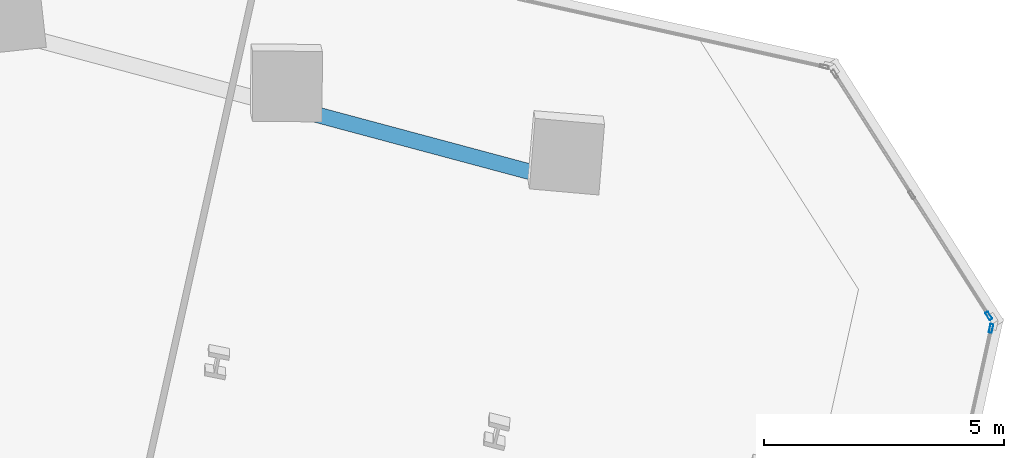
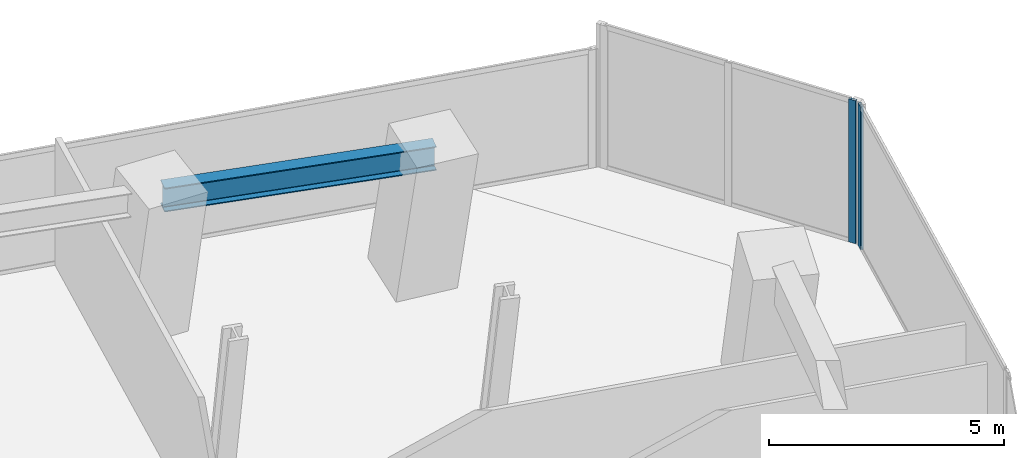
# One storey, part 13 of 26: 2 members, 1 beam, 2 elements without a shape of their own.
"""IFC4 building model written with IfcOpenShell, lengths in metres."""

from ifc_helpers import new_model, si_unit, direction, frame, origin, origin_2d, place, context, subcontext, project, spatial, hollow_rectangle, i_section, extrude, source, transform, mapped, material, material_profile, profile_set, type_object, element, aggregate, save


model = new_model("IFC4")

# Units and contexts
model_context = context("Model", 3, precision=1e-05, world=origin(), true_north=direction((0.0, 1.0)))
body_context = subcontext(model_context, "Body", "Model", "MODEL_VIEW")
ifc_project = project(units=[si_unit("LENGTHUNIT", "METRE"), si_unit("AREAUNIT", "SQUARE_METRE"), si_unit("VOLUMEUNIT", "CUBIC_METRE"), si_unit("PLANEANGLEUNIT", "RADIAN"), si_unit("MASSUNIT", "GRAM", prefix="KILO")], contexts=[model_context])

# Site, building, storey
site_placement = place(None, origin())
site = spatial("IfcSite", under=ifc_project, at=site_placement, CompositionType="ELEMENT")
building_placement = place(site_placement, origin())
building = spatial("IfcBuilding", under=site, at=building_placement, Name="Torre Montelarca", CompositionType="ELEMENT")
storey_placement = place(building_placement, frame((0.0, 0.0, 95.800048828125)))
storey = spatial("IfcBuildingStorey", under=building, at=storey_placement, Name="L21", CompositionType="ELEMENT", Elevation=95.800048828125)

# Beam
ifc_material_1 = material(Name="Steel ASTM A992 Grade 50", Category="steel")
ifc_material_profile_1 = material_profile(ifc_material_1, i_section(OverallWidth=0.326904296875, OverallDepth=0.6220703125, WebThickness=0.015380859375, FlangeThickness=0.0244140625, FilletRadius=0.014892578125, at=origin_2d()), Name="W610X195", Category="steel")
ifc_profile_set_1 = profile_set([ifc_material_profile_1], Name="Steel ASTM A992 Grade 50")
beam_type = type_object("IfcBeamType", Name="BM-G-W610H", PredefinedType="BEAM", material=ifc_profile_set_1)
shared_shape_1 = source(origin(), body_context, "Body", "SweptSolid", [
    extrude(i_section(OverallWidth=0.326904296875, OverallDepth=0.6220703125, WebThickness=0.015380859375, FlangeThickness=0.0244140625, FilletRadius=0.014892578125, at=origin_2d()), origin(), (0.0, 0.0, 1.0), 6.0),
])
beam_placement = place(storey_placement, frame((50.720458984375, 38.664306640625, 3.64892578125), z_axis=(0.965924258502, -0.258824896092, 0.0), x_axis=(0.258824896092, 0.965924258502, 0.0)))
element("IfcBeam", 1, at=beam_placement, inside=storey, type_object=beam_type, Name="L21 Grid Girder X 48.0-54.0 at Y=46.0", PredefinedType="BEAM", context=body_context, shape_type="MappedRepresentation", body=[
    mapped(shared_shape_1, transform((0.0, 0.0, 0.0), scale=1.0)),
])

# Curtain wall, member
ifc_material_2 = material(Name="Insulated low-E laminated glass", Category="glass")
curtain_wall_type = type_object("IfcCurtainWallType", Name="CW-SYS-Z1", PredefinedType="USERDEFINED", material=ifc_material_2)
curtain_wall_1_placement = place(storey_placement, origin())
curtain_wall_1 = element("IfcCurtainWall", 2, at=curtain_wall_1_placement, inside=storey, type_object=curtain_wall_type, Name="L21 Curtain Wall Run CW-T3-L21-E06-B1", ObjectType="UNITISED GLAZING", PredefinedType="USERDEFINED")
ifc_material_3 = material(Name="Anodised aluminium AA 6063-T6", Category="aluminium")
ifc_material_profile_2 = material_profile(ifc_material_3, hollow_rectangle(XDim=0.06494140625, YDim=0.179931640625, WallThickness=0.00390625, InnerFilletRadius=0.00390625, OuterFilletRadius=0.008056640625, at=origin_2d()), Name="ALU65X180X4", Category="aluminium")
ifc_profile_set_2 = profile_set([ifc_material_profile_2], Name="Anodised aluminium AA 6063-T6")
member_type = type_object("IfcMemberType", Name="CWM-ALU180", PredefinedType="MULLION", material=ifc_profile_set_2)
shared_shape_2 = source(origin(), body_context, "Body", "SweptSolid", [
    extrude(hollow_rectangle(XDim=0.06494140625, YDim=0.179931640625, WallThickness=0.00390625, InnerFilletRadius=0.00390625, OuterFilletRadius=0.008056640625, at=origin_2d()), origin(), (0.0, 0.0, 1.0), 3.719970703125),
])
member_1_placement = place(storey_placement, frame((65.257568359375, 34.080078125, 0.0), z_axis=(0.0, 0.0, 1.0), x_axis=(-0.976295656956, 0.216441193422, 0.0)))
member_1 = element("IfcMember", 3, at=member_1_placement, type_object=member_type, Name="CW mullion 3", PredefinedType="MULLION", context=body_context, shape_type="MappedRepresentation", body=[
    mapped(shared_shape_2, transform((0.0, 0.0, 0.0), scale=1.0)),
])
aggregate(curtain_wall_1, [member_1])

curtain_wall_2_placement = place(storey_placement, origin())
curtain_wall_2 = element("IfcCurtainWall", 4, at=curtain_wall_2_placement, inside=storey, type_object=curtain_wall_type, Name="L21 Curtain Wall Run CW-T3-L21-E07-B1", ObjectType="UNITISED GLAZING", PredefinedType="USERDEFINED")
member_2_placement = place(storey_placement, frame((65.211181640625, 34.343017578125, 0.0), z_axis=(0.0, 0.0, 1.0), x_axis=(-0.843380828079, -0.537316274487, 0.0)))
member_2 = element("IfcMember", 5, at=member_2_placement, type_object=member_type, Name="CW mullion 1", PredefinedType="MULLION", context=body_context, shape_type="MappedRepresentation", body=[
    mapped(shared_shape_2, transform((0.0, 0.0, 0.0), scale=1.0)),
])
aggregate(curtain_wall_2, [member_2])

save(model, "model.ifc")
